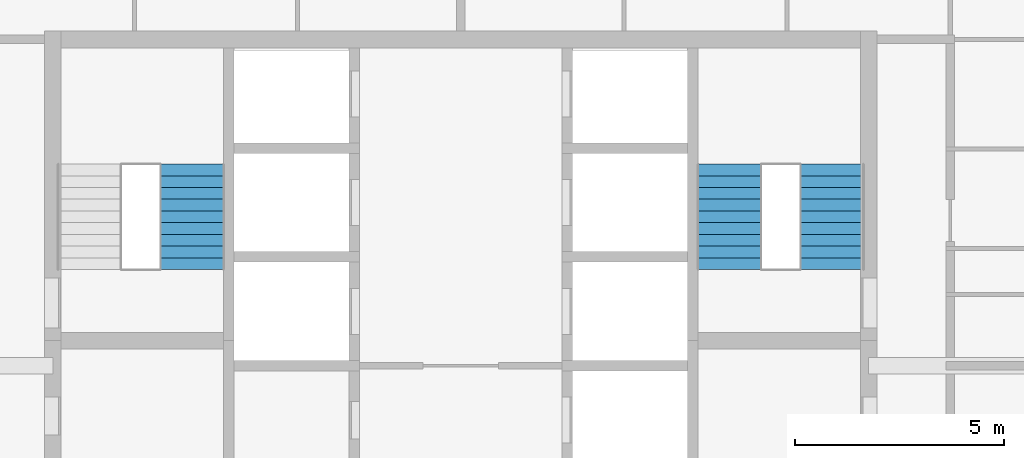
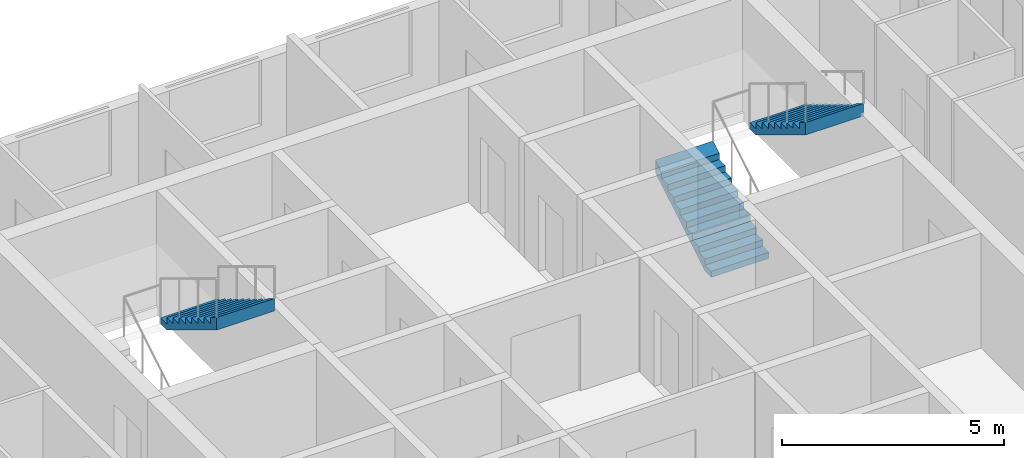
# One storey, part 14 of 16: 3 stair flights, 2 elements without a shape of their own.
"""IFC4 building model written with IfcOpenShell, lengths in metres."""

from ifc_helpers import new_model, si_unit, direction, frame, origin, place, context, subcontext, project, spatial, triangles, material, type_object, element, aggregate, save


model = new_model("IFC4")

# Units and contexts
model_context = context("Model", 3, precision=1e-05, world=origin(), true_north=direction((0.0, 1.0)))
body_context = subcontext(model_context, "Body", "Model", "MODEL_VIEW")
ifc_project = project(units=[si_unit("LENGTHUNIT", "METRE"), si_unit("AREAUNIT", "SQUARE_METRE"), si_unit("VOLUMEUNIT", "CUBIC_METRE"), si_unit("PLANEANGLEUNIT", "RADIAN"), si_unit("MASSUNIT", "GRAM", prefix="KILO")], contexts=[model_context])

# Site, building, storey
site_placement = place(None, origin())
site = spatial("IfcSite", under=ifc_project, at=site_placement, CompositionType="ELEMENT")
building_placement = place(site_placement, origin())
building = spatial("IfcBuilding", under=site, at=building_placement, Name="Ludao Terraces", CompositionType="ELEMENT")
storey_placement = place(building_placement, frame((0.0, 0.0, 234.699951171875)))
storey = spatial("IfcBuildingStorey", under=building, at=storey_placement, Name="L64", CompositionType="ELEMENT", Elevation=234.699951171875)

# Stair, stair flight
ifc_material = material(Name="Concrete C40", Category="concrete")
stair_type = type_object("IfcStairType", Name="INT Stair", PredefinedType="HALF_TURN_STAIR", material=ifc_material)
stair_1_placement = place(storey_placement, origin())
stair_1 = element("IfcStair", 1, at=stair_1_placement, inside=storey, type_object=stair_type, Name="EXIT STAIR 1", PredefinedType="HALF_TURN_STAIR")
stair_flight_type = type_object("IfcStairFlightType", Name="INT Stair flight", PredefinedType="STRAIGHT", material=ifc_material)
stair_flight_1_placement = place(storey_placement, frame((78.574951171875, 81.52001953125, 1.699951171875), z_axis=(0.0, 0.0, 1.0), x_axis=(0.0, -1.0, 0.0)))
stair_flight_1 = element("IfcStairFlight", 2, at=stair_flight_1_placement, type_object=stair_flight_type, Name="ST1 flight 2", NumberOfRisers=10, NumberOfTreads=9, PredefinedType="STRAIGHT", RiserHeight=0.17, TreadLength=0.28, context=body_context, shape_type="Tessellation", body=[
    triangles([(0.0, -0.75, 0.0), (0.0, -0.5, 0.0), (0.0, -0.25, 0.0), (0.0, 0.0, 0.0), (0.0, 0.25, 0.0), (0.0, 0.5, 0.0), (0.0, 0.75, 0.0), (0.0, -0.75, 0.169921875), (0.0, -0.5, 0.169921875), (0.0, -0.25, 0.169921875), (0.0, 0.0, 0.169921875), (0.0, 0.25, 0.169921875), (0.0, 0.5, 0.169921875), (0.0, 0.75, 0.169921875), (0.280029296875, -0.75, 0.169921875), (0.280029296875, -0.5, 0.169921875), (0.280029296875, -0.25, 0.169921875), (0.280029296875, 0.0, 0.169921875), (0.280029296875, 0.25, 0.169921875), (0.280029296875, 0.5, 0.169921875), (0.280029296875, 0.75, 0.169921875), (0.280029296875, -0.75, 0.340087890625), (0.280029296875, -0.5, 0.340087890625), (0.280029296875, -0.25, 0.340087890625), (0.280029296875, 0.0, 0.340087890625), (0.280029296875, 0.25, 0.340087890625), (0.280029296875, 0.5, 0.340087890625), (0.280029296875, 0.75, 0.340087890625), (0.56005859375, -0.75, 0.340087890625), (0.56005859375, -0.5, 0.340087890625), (0.56005859375, -0.25, 0.340087890625), (0.56005859375, 0.0, 0.340087890625), (0.56005859375, 0.25, 0.340087890625), (0.56005859375, 0.5, 0.340087890625), (0.56005859375, 0.75, 0.340087890625), (0.56005859375, -0.75, 0.510009765625), (0.56005859375, -0.5, 0.510009765625), (0.56005859375, -0.25, 0.510009765625), (0.56005859375, 0.0, 0.510009765625), (0.56005859375, 0.25, 0.510009765625), (0.56005859375, 0.5, 0.510009765625), (0.56005859375, 0.75, 0.510009765625), (0.840087890625, -0.75, 0.510009765625), (0.840087890625, -0.5, 0.510009765625), (0.840087890625, -0.25, 0.510009765625), (0.840087890625, 0.0, 0.510009765625), (0.840087890625, 0.25, 0.510009765625), (0.840087890625, 0.5, 0.510009765625), (0.840087890625, 0.75, 0.510009765625), (0.840087890625, -0.75, 0.679931640625), (0.840087890625, -0.5, 0.679931640625), (0.840087890625, -0.25, 0.679931640625), (0.840087890625, 0.0, 0.679931640625), (0.840087890625, 0.25, 0.679931640625), (0.840087890625, 0.5, 0.679931640625), (0.840087890625, 0.75, 0.679931640625), (1.1201171875, -0.75, 0.679931640625), (1.1201171875, -0.5, 0.679931640625), (1.1201171875, -0.25, 0.679931640625), (1.1201171875, 0.0, 0.679931640625), (1.1201171875, 0.25, 0.679931640625), (1.1201171875, 0.5, 0.679931640625), (1.1201171875, 0.75, 0.679931640625), (1.1201171875, -0.75, 0.85009765625), (1.1201171875, -0.5, 0.85009765625), (1.1201171875, -0.25, 0.85009765625), (1.1201171875, 0.0, 0.85009765625), (1.1201171875, 0.25, 0.85009765625), (1.1201171875, 0.5, 0.85009765625), (1.1201171875, 0.75, 0.85009765625), (1.39990234375, -0.75, 0.85009765625), (1.39990234375, -0.5, 0.85009765625), (1.39990234375, -0.25, 0.85009765625), (1.39990234375, 0.0, 0.85009765625), (1.39990234375, 0.25, 0.85009765625), (1.39990234375, 0.5, 0.85009765625), (1.39990234375, 0.75, 0.85009765625), (1.39990234375, -0.75, 1.02001953125), (1.39990234375, -0.5, 1.02001953125), (1.39990234375, -0.25, 1.02001953125), (1.39990234375, 0.0, 1.02001953125), (1.39990234375, 0.25, 1.02001953125), (1.39990234375, 0.5, 1.02001953125), (1.39990234375, 0.75, 1.02001953125), (1.679931640625, -0.75, 1.02001953125), (1.679931640625, -0.5, 1.02001953125), (1.679931640625, -0.25, 1.02001953125), (1.679931640625, 0.0, 1.02001953125), (1.679931640625, 0.25, 1.02001953125), (1.679931640625, 0.5, 1.02001953125), (1.679931640625, 0.75, 1.02001953125), (1.679931640625, -0.75, 1.18994140625), (1.679931640625, -0.5, 1.18994140625), (1.679931640625, -0.25, 1.18994140625), (1.679931640625, 0.0, 1.18994140625), (1.679931640625, 0.25, 1.18994140625), (1.679931640625, 0.5, 1.18994140625), (1.679931640625, 0.75, 1.18994140625), (1.9599609375, -0.75, 1.18994140625), (1.9599609375, -0.5, 1.18994140625), (1.9599609375, -0.25, 1.18994140625), (1.9599609375, 0.0, 1.18994140625), (1.9599609375, 0.25, 1.18994140625), (1.9599609375, 0.5, 1.18994140625), (1.9599609375, 0.75, 1.18994140625), (1.9599609375, -0.75, 1.360107421875), (1.9599609375, -0.5, 1.360107421875), (1.9599609375, -0.25, 1.360107421875), (1.9599609375, 0.0, 1.360107421875), (1.9599609375, 0.25, 1.360107421875), (1.9599609375, 0.5, 1.360107421875), (1.9599609375, 0.75, 1.360107421875), (2.239990234375, -0.75, 1.360107421875), (2.239990234375, -0.5, 1.360107421875), (2.239990234375, -0.25, 1.360107421875), (2.239990234375, 0.0, 1.360107421875), (2.239990234375, 0.25, 1.360107421875), (2.239990234375, 0.5, 1.360107421875), (2.239990234375, 0.75, 1.360107421875), (2.239990234375, -0.75, 1.530029296875), (2.239990234375, -0.5, 1.530029296875), (2.239990234375, -0.25, 1.530029296875), (2.239990234375, 0.0, 1.530029296875), (2.239990234375, 0.25, 1.530029296875), (2.239990234375, 0.5, 1.530029296875), (2.239990234375, 0.75, 1.530029296875), (2.52001953125, -0.75, 1.699951171875), (2.52001953125, -0.5, 1.699951171875), (2.52001953125, -0.25, 1.699951171875), (2.52001953125, 0.0, 1.699951171875), (2.52001953125, 0.25, 1.699951171875), (2.52001953125, 0.5, 1.699951171875), (2.52001953125, 0.75, 1.699951171875), (2.52001953125, -0.75, 1.354736328125), (2.52001953125, -0.5, 1.354736328125), (2.52001953125, -0.25, 1.354736328125), (2.52001953125, 0.0, 1.354736328125), (2.52001953125, 0.25, 1.354736328125), (2.52001953125, 0.5, 1.354736328125), (2.52001953125, 0.75, 1.354736328125), (0.288818359375, -0.75, 0.0), (0.288818359375, -0.5, 0.0), (0.288818359375, -0.25, 0.0), (0.288818359375, 0.0, 0.0), (0.288818359375, 0.25, 0.0), (0.288818359375, 0.5, 0.0), (0.288818359375, 0.75, 0.0)], [[1, 141, 134], [7, 140, 147], [134, 127, 120], [140, 126, 133], [134, 120, 113], [140, 119, 126], [134, 113, 106], [140, 112, 119], [134, 106, 99], [140, 105, 112], [99, 92, 85], [105, 91, 98], [134, 99, 85], [140, 91, 105], [85, 78, 71], [91, 77, 84], [134, 85, 71], [140, 77, 91], [71, 64, 57], [77, 63, 70], [134, 71, 57], [140, 63, 77], [57, 50, 43], [63, 49, 56], [134, 57, 43], [140, 49, 63], [43, 36, 29], [49, 35, 42], [134, 43, 29], [140, 35, 49], [29, 22, 15], [35, 21, 28], [134, 29, 15], [140, 21, 35], [1, 134, 15], [7, 21, 140], [15, 8, 1], [21, 7, 14], [1, 9, 2], [1, 8, 9], [2, 10, 3], [2, 9, 10], [3, 11, 4], [3, 10, 11], [4, 12, 5], [4, 11, 12], [5, 13, 6], [5, 12, 13], [6, 14, 7], [6, 13, 14], [8, 16, 9], [8, 15, 16], [9, 17, 10], [9, 16, 17], [10, 18, 11], [10, 17, 18], [11, 19, 12], [11, 18, 19], [12, 20, 13], [12, 19, 20], [13, 21, 14], [13, 20, 21], [15, 23, 16], [15, 22, 23], [16, 24, 17], [16, 23, 24], [17, 25, 18], [17, 24, 25], [18, 26, 19], [18, 25, 26], [19, 27, 20], [19, 26, 27], [20, 28, 21], [20, 27, 28], [22, 30, 23], [22, 29, 30], [23, 31, 24], [23, 30, 31], [24, 32, 25], [24, 31, 32], [25, 33, 26], [25, 32, 33], [26, 34, 27], [26, 33, 34], [27, 35, 28], [27, 34, 35], [29, 37, 30], [29, 36, 37], [30, 38, 31], [30, 37, 38], [31, 39, 32], [31, 38, 39], [32, 40, 33], [32, 39, 40], [33, 41, 34], [33, 40, 41], [34, 42, 35], [34, 41, 42], [36, 44, 37], [36, 43, 44], [37, 45, 38], [37, 44, 45], [38, 46, 39], [38, 45, 46], [39, 47, 40], [39, 46, 47], [40, 48, 41], [40, 47, 48], [41, 49, 42], [41, 48, 49], [43, 51, 44], [43, 50, 51], [44, 52, 45], [44, 51, 52], [45, 53, 46], [45, 52, 53], [46, 54, 47], [46, 53, 54], [47, 55, 48], [47, 54, 55], [48, 56, 49], [48, 55, 56], [50, 58, 51], [50, 57, 58], [51, 59, 52], [51, 58, 59], [52, 60, 53], [52, 59, 60], [53, 61, 54], [53, 60, 61], [54, 62, 55], [54, 61, 62], [55, 63, 56], [55, 62, 63], [57, 65, 58], [57, 64, 65], [58, 66, 59], [58, 65, 66], [59, 67, 60], [59, 66, 67], [60, 68, 61], [60, 67, 68], [61, 69, 62], [61, 68, 69], [62, 70, 63], [62, 69, 70], [64, 72, 65], [64, 71, 72], [65, 73, 66], [65, 72, 73], [66, 74, 67], [66, 73, 74], [67, 75, 68], [67, 74, 75], [68, 76, 69], [68, 75, 76], [69, 77, 70], [69, 76, 77], [71, 79, 72], [71, 78, 79], [72, 80, 73], [72, 79, 80], [73, 81, 74], [73, 80, 81], [74, 82, 75], [74, 81, 82], [75, 83, 76], [75, 82, 83], [76, 84, 77], [76, 83, 84], [78, 86, 79], [78, 85, 86], [79, 87, 80], [79, 86, 87], [80, 88, 81], [80, 87, 88], [81, 89, 82], [81, 88, 89], [82, 90, 83], [82, 89, 90], [83, 91, 84], [83, 90, 91], [85, 93, 86], [85, 92, 93], [86, 94, 87], [86, 93, 94], [87, 95, 88], [87, 94, 95], [88, 96, 89], [88, 95, 96], [89, 97, 90], [89, 96, 97], [90, 98, 91], [90, 97, 98], [92, 100, 93], [92, 99, 100], [93, 101, 94], [93, 100, 101], [94, 102, 95], [94, 101, 102], [95, 103, 96], [95, 102, 103], [96, 104, 97], [96, 103, 104], [97, 105, 98], [97, 104, 105], [99, 107, 100], [99, 106, 107], [100, 108, 101], [100, 107, 108], [101, 109, 102], [101, 108, 109], [102, 110, 103], [102, 109, 110], [103, 111, 104], [103, 110, 111], [104, 112, 105], [104, 111, 112], [106, 114, 107], [106, 113, 114], [107, 115, 108], [107, 114, 115], [108, 116, 109], [108, 115, 116], [109, 117, 110], [109, 116, 117], [110, 118, 111], [110, 117, 118], [111, 119, 112], [111, 118, 119], [113, 121, 114], [113, 120, 121], [114, 122, 115], [114, 121, 122], [115, 123, 116], [115, 122, 123], [116, 124, 117], [116, 123, 124], [117, 125, 118], [117, 124, 125], [118, 126, 119], [118, 125, 126], [120, 128, 121], [120, 127, 128], [121, 129, 122], [121, 128, 129], [122, 130, 123], [122, 129, 130], [123, 131, 124], [123, 130, 131], [124, 132, 125], [124, 131, 132], [125, 133, 126], [125, 132, 133], [127, 135, 128], [127, 134, 135], [128, 136, 129], [128, 135, 136], [129, 137, 130], [129, 136, 137], [130, 138, 131], [130, 137, 138], [131, 139, 132], [131, 138, 139], [132, 140, 133], [132, 139, 140], [134, 142, 135], [134, 141, 142], [135, 143, 136], [135, 142, 143], [136, 144, 137], [136, 143, 144], [137, 145, 138], [137, 144, 145], [138, 146, 139], [138, 145, 146], [139, 147, 140], [139, 146, 147], [141, 2, 142], [141, 1, 2], [142, 3, 143], [142, 2, 3], [143, 4, 144], [143, 3, 4], [144, 5, 145], [144, 4, 5], [145, 6, 146], [145, 5, 6], [146, 7, 147], [146, 6, 7]], closed=True),
])
aggregate(stair_1, [stair_flight_1])

# Stair, stair flights
stair_2_placement = place(storey_placement, origin())
stair_2 = element("IfcStair", 3, at=stair_2_placement, inside=storey, type_object=stair_type, Name="EXIT STAIR 2", PredefinedType="HALF_TURN_STAIR")
stair_flight_2_placement = place(storey_placement, frame((91.425048828125, 79.0, 0.0), z_axis=(0.0, 0.0, 1.0), x_axis=(0.0, 1.0, 0.0)))
stair_flight_2 = element("IfcStairFlight", 4, at=stair_flight_2_placement, type_object=stair_flight_type, Name="ST2 flight 1", NumberOfRisers=10, NumberOfTreads=9, PredefinedType="STRAIGHT", RiserHeight=0.17, TreadLength=0.28, context=body_context, shape_type="Tessellation", body=[
    triangles([(0.0, -0.75, 0.0), (0.0, -0.5, 0.0), (0.0, -0.25, 0.0), (0.0, 0.0, 0.0), (0.0, 0.25, 0.0), (0.0, 0.5, 0.0), (0.0, 0.75, 0.0), (0.0, -0.75, 0.169921875), (0.0, -0.5, 0.169921875), (0.0, -0.25, 0.169921875), (0.0, 0.0, 0.169921875), (0.0, 0.25, 0.169921875), (0.0, 0.5, 0.169921875), (0.0, 0.75, 0.169921875), (0.280029296875, -0.75, 0.169921875), (0.280029296875, -0.5, 0.169921875), (0.280029296875, -0.25, 0.169921875), (0.280029296875, 0.0, 0.169921875), (0.280029296875, 0.25, 0.169921875), (0.280029296875, 0.5, 0.169921875), (0.280029296875, 0.75, 0.169921875), (0.280029296875, -0.75, 0.340087890625), (0.280029296875, -0.5, 0.340087890625), (0.280029296875, -0.25, 0.340087890625), (0.280029296875, 0.0, 0.340087890625), (0.280029296875, 0.25, 0.340087890625), (0.280029296875, 0.5, 0.340087890625), (0.280029296875, 0.75, 0.340087890625), (0.56005859375, -0.75, 0.340087890625), (0.56005859375, -0.5, 0.340087890625), (0.56005859375, -0.25, 0.340087890625), (0.56005859375, 0.0, 0.340087890625), (0.56005859375, 0.25, 0.340087890625), (0.56005859375, 0.5, 0.340087890625), (0.56005859375, 0.75, 0.340087890625), (0.56005859375, -0.75, 0.510009765625), (0.56005859375, -0.5, 0.510009765625), (0.56005859375, -0.25, 0.510009765625), (0.56005859375, 0.0, 0.510009765625), (0.56005859375, 0.25, 0.510009765625), (0.56005859375, 0.5, 0.510009765625), (0.56005859375, 0.75, 0.510009765625), (0.840087890625, -0.75, 0.510009765625), (0.840087890625, -0.5, 0.510009765625), (0.840087890625, -0.25, 0.510009765625), (0.840087890625, 0.0, 0.510009765625), (0.840087890625, 0.25, 0.510009765625), (0.840087890625, 0.5, 0.510009765625), (0.840087890625, 0.75, 0.510009765625), (0.840087890625, -0.75, 0.679931640625), (0.840087890625, -0.5, 0.679931640625), (0.840087890625, -0.25, 0.679931640625), (0.840087890625, 0.0, 0.679931640625), (0.840087890625, 0.25, 0.679931640625), (0.840087890625, 0.5, 0.679931640625), (0.840087890625, 0.75, 0.679931640625), (1.1201171875, -0.75, 0.679931640625), (1.1201171875, -0.5, 0.679931640625), (1.1201171875, -0.25, 0.679931640625), (1.1201171875, 0.0, 0.679931640625), (1.1201171875, 0.25, 0.679931640625), (1.1201171875, 0.5, 0.679931640625), (1.1201171875, 0.75, 0.679931640625), (1.1201171875, -0.75, 0.85009765625), (1.1201171875, -0.5, 0.85009765625), (1.1201171875, -0.25, 0.85009765625), (1.1201171875, 0.0, 0.85009765625), (1.1201171875, 0.25, 0.85009765625), (1.1201171875, 0.5, 0.85009765625), (1.1201171875, 0.75, 0.85009765625), (1.39990234375, -0.75, 0.85009765625), (1.39990234375, -0.5, 0.85009765625), (1.39990234375, -0.25, 0.85009765625), (1.39990234375, 0.0, 0.85009765625), (1.39990234375, 0.25, 0.85009765625), (1.39990234375, 0.5, 0.85009765625), (1.39990234375, 0.75, 0.85009765625), (1.39990234375, -0.75, 1.02001953125), (1.39990234375, -0.5, 1.02001953125), (1.39990234375, -0.25, 1.02001953125), (1.39990234375, 0.0, 1.02001953125), (1.39990234375, 0.25, 1.02001953125), (1.39990234375, 0.5, 1.02001953125), (1.39990234375, 0.75, 1.02001953125), (1.679931640625, -0.75, 1.02001953125), (1.679931640625, -0.5, 1.02001953125), (1.679931640625, -0.25, 1.02001953125), (1.679931640625, 0.0, 1.02001953125), (1.679931640625, 0.25, 1.02001953125), (1.679931640625, 0.5, 1.02001953125), (1.679931640625, 0.75, 1.02001953125), (1.679931640625, -0.75, 1.18994140625), (1.679931640625, -0.5, 1.18994140625), (1.679931640625, -0.25, 1.18994140625), (1.679931640625, 0.0, 1.18994140625), (1.679931640625, 0.25, 1.18994140625), (1.679931640625, 0.5, 1.18994140625), (1.679931640625, 0.75, 1.18994140625), (1.9599609375, -0.75, 1.18994140625), (1.9599609375, -0.5, 1.18994140625), (1.9599609375, -0.25, 1.18994140625), (1.9599609375, 0.0, 1.18994140625), (1.9599609375, 0.25, 1.18994140625), (1.9599609375, 0.5, 1.18994140625), (1.9599609375, 0.75, 1.18994140625), (1.9599609375, -0.75, 1.360107421875), (1.9599609375, -0.5, 1.360107421875), (1.9599609375, -0.25, 1.360107421875), (1.9599609375, 0.0, 1.360107421875), (1.9599609375, 0.25, 1.360107421875), (1.9599609375, 0.5, 1.360107421875), (1.9599609375, 0.75, 1.360107421875), (2.239990234375, -0.75, 1.360107421875), (2.239990234375, -0.5, 1.360107421875), (2.239990234375, -0.25, 1.360107421875), (2.239990234375, 0.0, 1.360107421875), (2.239990234375, 0.25, 1.360107421875), (2.239990234375, 0.5, 1.360107421875), (2.239990234375, 0.75, 1.360107421875), (2.239990234375, -0.75, 1.530029296875), (2.239990234375, -0.5, 1.530029296875), (2.239990234375, -0.25, 1.530029296875), (2.239990234375, 0.0, 1.530029296875), (2.239990234375, 0.25, 1.530029296875), (2.239990234375, 0.5, 1.530029296875), (2.239990234375, 0.75, 1.530029296875), (2.52001953125, -0.75, 1.699951171875), (2.52001953125, -0.5, 1.699951171875), (2.52001953125, -0.25, 1.699951171875), (2.52001953125, 0.0, 1.699951171875), (2.52001953125, 0.25, 1.699951171875), (2.52001953125, 0.5, 1.699951171875), (2.52001953125, 0.75, 1.699951171875), (2.52001953125, -0.75, 1.354736328125), (2.52001953125, -0.5, 1.354736328125), (2.52001953125, -0.25, 1.354736328125), (2.52001953125, 0.0, 1.354736328125), (2.52001953125, 0.25, 1.354736328125), (2.52001953125, 0.5, 1.354736328125), (2.52001953125, 0.75, 1.354736328125), (0.288818359375, -0.75, 0.0), (0.288818359375, -0.5, 0.0), (0.288818359375, -0.25, 0.0), (0.288818359375, 0.0, 0.0), (0.288818359375, 0.25, 0.0), (0.288818359375, 0.5, 0.0), (0.288818359375, 0.75, 0.0)], [[1, 141, 134], [7, 140, 147], [134, 127, 120], [140, 126, 133], [134, 120, 113], [140, 119, 126], [134, 113, 106], [140, 112, 119], [134, 106, 99], [140, 105, 112], [99, 92, 85], [105, 91, 98], [134, 99, 85], [140, 91, 105], [85, 78, 71], [91, 77, 84], [134, 85, 71], [140, 77, 91], [71, 64, 57], [77, 63, 70], [134, 71, 57], [140, 63, 77], [57, 50, 43], [63, 49, 56], [134, 57, 43], [140, 49, 63], [43, 36, 29], [49, 35, 42], [134, 43, 29], [140, 35, 49], [29, 22, 15], [35, 21, 28], [134, 29, 15], [140, 21, 35], [1, 134, 15], [7, 21, 140], [15, 8, 1], [21, 7, 14], [1, 9, 2], [1, 8, 9], [2, 10, 3], [2, 9, 10], [3, 11, 4], [3, 10, 11], [4, 12, 5], [4, 11, 12], [5, 13, 6], [5, 12, 13], [6, 14, 7], [6, 13, 14], [8, 16, 9], [8, 15, 16], [9, 17, 10], [9, 16, 17], [10, 18, 11], [10, 17, 18], [11, 19, 12], [11, 18, 19], [12, 20, 13], [12, 19, 20], [13, 21, 14], [13, 20, 21], [15, 23, 16], [15, 22, 23], [16, 24, 17], [16, 23, 24], [17, 25, 18], [17, 24, 25], [18, 26, 19], [18, 25, 26], [19, 27, 20], [19, 26, 27], [20, 28, 21], [20, 27, 28], [22, 30, 23], [22, 29, 30], [23, 31, 24], [23, 30, 31], [24, 32, 25], [24, 31, 32], [25, 33, 26], [25, 32, 33], [26, 34, 27], [26, 33, 34], [27, 35, 28], [27, 34, 35], [29, 37, 30], [29, 36, 37], [30, 38, 31], [30, 37, 38], [31, 39, 32], [31, 38, 39], [32, 40, 33], [32, 39, 40], [33, 41, 34], [33, 40, 41], [34, 42, 35], [34, 41, 42], [36, 44, 37], [36, 43, 44], [37, 45, 38], [37, 44, 45], [38, 46, 39], [38, 45, 46], [39, 47, 40], [39, 46, 47], [40, 48, 41], [40, 47, 48], [41, 49, 42], [41, 48, 49], [43, 51, 44], [43, 50, 51], [44, 52, 45], [44, 51, 52], [45, 53, 46], [45, 52, 53], [46, 54, 47], [46, 53, 54], [47, 55, 48], [47, 54, 55], [48, 56, 49], [48, 55, 56], [50, 58, 51], [50, 57, 58], [51, 59, 52], [51, 58, 59], [52, 60, 53], [52, 59, 60], [53, 61, 54], [53, 60, 61], [54, 62, 55], [54, 61, 62], [55, 63, 56], [55, 62, 63], [57, 65, 58], [57, 64, 65], [58, 66, 59], [58, 65, 66], [59, 67, 60], [59, 66, 67], [60, 68, 61], [60, 67, 68], [61, 69, 62], [61, 68, 69], [62, 70, 63], [62, 69, 70], [64, 72, 65], [64, 71, 72], [65, 73, 66], [65, 72, 73], [66, 74, 67], [66, 73, 74], [67, 75, 68], [67, 74, 75], [68, 76, 69], [68, 75, 76], [69, 77, 70], [69, 76, 77], [71, 79, 72], [71, 78, 79], [72, 80, 73], [72, 79, 80], [73, 81, 74], [73, 80, 81], [74, 82, 75], [74, 81, 82], [75, 83, 76], [75, 82, 83], [76, 84, 77], [76, 83, 84], [78, 86, 79], [78, 85, 86], [79, 87, 80], [79, 86, 87], [80, 88, 81], [80, 87, 88], [81, 89, 82], [81, 88, 89], [82, 90, 83], [82, 89, 90], [83, 91, 84], [83, 90, 91], [85, 93, 86], [85, 92, 93], [86, 94, 87], [86, 93, 94], [87, 95, 88], [87, 94, 95], [88, 96, 89], [88, 95, 96], [89, 97, 90], [89, 96, 97], [90, 98, 91], [90, 97, 98], [92, 100, 93], [92, 99, 100], [93, 101, 94], [93, 100, 101], [94, 102, 95], [94, 101, 102], [95, 103, 96], [95, 102, 103], [96, 104, 97], [96, 103, 104], [97, 105, 98], [97, 104, 105], [99, 107, 100], [99, 106, 107], [100, 108, 101], [100, 107, 108], [101, 109, 102], [101, 108, 109], [102, 110, 103], [102, 109, 110], [103, 111, 104], [103, 110, 111], [104, 112, 105], [104, 111, 112], [106, 114, 107], [106, 113, 114], [107, 115, 108], [107, 114, 115], [108, 116, 109], [108, 115, 116], [109, 117, 110], [109, 116, 117], [110, 118, 111], [110, 117, 118], [111, 119, 112], [111, 118, 119], [113, 121, 114], [113, 120, 121], [114, 122, 115], [114, 121, 122], [115, 123, 116], [115, 122, 123], [116, 124, 117], [116, 123, 124], [117, 125, 118], [117, 124, 125], [118, 126, 119], [118, 125, 126], [120, 128, 121], [120, 127, 128], [121, 129, 122], [121, 128, 129], [122, 130, 123], [122, 129, 130], [123, 131, 124], [123, 130, 131], [124, 132, 125], [124, 131, 132], [125, 133, 126], [125, 132, 133], [127, 135, 128], [127, 134, 135], [128, 136, 129], [128, 135, 136], [129, 137, 130], [129, 136, 137], [130, 138, 131], [130, 137, 138], [131, 139, 132], [131, 138, 139], [132, 140, 133], [132, 139, 140], [134, 142, 135], [134, 141, 142], [135, 143, 136], [135, 142, 143], [136, 144, 137], [136, 143, 144], [137, 145, 138], [137, 144, 145], [138, 146, 139], [138, 145, 146], [139, 147, 140], [139, 146, 147], [141, 2, 142], [141, 1, 2], [142, 3, 143], [142, 2, 3], [143, 4, 144], [143, 3, 4], [144, 5, 145], [144, 4, 5], [145, 6, 146], [145, 5, 6], [146, 7, 147], [146, 6, 7]], closed=True),
])
stair_flight_3_placement = place(storey_placement, frame((93.875, 81.52001953125, 1.699951171875), z_axis=(0.0, 0.0, 1.0), x_axis=(0.0, -1.0, 0.0)))
stair_flight_3 = element("IfcStairFlight", 5, at=stair_flight_3_placement, type_object=stair_flight_type, Name="ST2 flight 2", NumberOfRisers=10, NumberOfTreads=9, PredefinedType="STRAIGHT", RiserHeight=0.17, TreadLength=0.28, context=body_context, shape_type="Tessellation", body=[
    triangles([(0.0, -0.75, 0.0), (0.0, -0.5, 0.0), (0.0, -0.25, 0.0), (0.0, 0.0, 0.0), (0.0, 0.25, 0.0), (0.0, 0.5, 0.0), (0.0, 0.75, 0.0), (0.0, -0.75, 0.169921875), (0.0, -0.5, 0.169921875), (0.0, -0.25, 0.169921875), (0.0, 0.0, 0.169921875), (0.0, 0.25, 0.169921875), (0.0, 0.5, 0.169921875), (0.0, 0.75, 0.169921875), (0.280029296875, -0.75, 0.169921875), (0.280029296875, -0.5, 0.169921875), (0.280029296875, -0.25, 0.169921875), (0.280029296875, 0.0, 0.169921875), (0.280029296875, 0.25, 0.169921875), (0.280029296875, 0.5, 0.169921875), (0.280029296875, 0.75, 0.169921875), (0.280029296875, -0.75, 0.340087890625), (0.280029296875, -0.5, 0.340087890625), (0.280029296875, -0.25, 0.340087890625), (0.280029296875, 0.0, 0.340087890625), (0.280029296875, 0.25, 0.340087890625), (0.280029296875, 0.5, 0.340087890625), (0.280029296875, 0.75, 0.340087890625), (0.56005859375, -0.75, 0.340087890625), (0.56005859375, -0.5, 0.340087890625), (0.56005859375, -0.25, 0.340087890625), (0.56005859375, 0.0, 0.340087890625), (0.56005859375, 0.25, 0.340087890625), (0.56005859375, 0.5, 0.340087890625), (0.56005859375, 0.75, 0.340087890625), (0.56005859375, -0.75, 0.510009765625), (0.56005859375, -0.5, 0.510009765625), (0.56005859375, -0.25, 0.510009765625), (0.56005859375, 0.0, 0.510009765625), (0.56005859375, 0.25, 0.510009765625), (0.56005859375, 0.5, 0.510009765625), (0.56005859375, 0.75, 0.510009765625), (0.840087890625, -0.75, 0.510009765625), (0.840087890625, -0.5, 0.510009765625), (0.840087890625, -0.25, 0.510009765625), (0.840087890625, 0.0, 0.510009765625), (0.840087890625, 0.25, 0.510009765625), (0.840087890625, 0.5, 0.510009765625), (0.840087890625, 0.75, 0.510009765625), (0.840087890625, -0.75, 0.679931640625), (0.840087890625, -0.5, 0.679931640625), (0.840087890625, -0.25, 0.679931640625), (0.840087890625, 0.0, 0.679931640625), (0.840087890625, 0.25, 0.679931640625), (0.840087890625, 0.5, 0.679931640625), (0.840087890625, 0.75, 0.679931640625), (1.1201171875, -0.75, 0.679931640625), (1.1201171875, -0.5, 0.679931640625), (1.1201171875, -0.25, 0.679931640625), (1.1201171875, 0.0, 0.679931640625), (1.1201171875, 0.25, 0.679931640625), (1.1201171875, 0.5, 0.679931640625), (1.1201171875, 0.75, 0.679931640625), (1.1201171875, -0.75, 0.85009765625), (1.1201171875, -0.5, 0.85009765625), (1.1201171875, -0.25, 0.85009765625), (1.1201171875, 0.0, 0.85009765625), (1.1201171875, 0.25, 0.85009765625), (1.1201171875, 0.5, 0.85009765625), (1.1201171875, 0.75, 0.85009765625), (1.39990234375, -0.75, 0.85009765625), (1.39990234375, -0.5, 0.85009765625), (1.39990234375, -0.25, 0.85009765625), (1.39990234375, 0.0, 0.85009765625), (1.39990234375, 0.25, 0.85009765625), (1.39990234375, 0.5, 0.85009765625), (1.39990234375, 0.75, 0.85009765625), (1.39990234375, -0.75, 1.02001953125), (1.39990234375, -0.5, 1.02001953125), (1.39990234375, -0.25, 1.02001953125), (1.39990234375, 0.0, 1.02001953125), (1.39990234375, 0.25, 1.02001953125), (1.39990234375, 0.5, 1.02001953125), (1.39990234375, 0.75, 1.02001953125), (1.679931640625, -0.75, 1.02001953125), (1.679931640625, -0.5, 1.02001953125), (1.679931640625, -0.25, 1.02001953125), (1.679931640625, 0.0, 1.02001953125), (1.679931640625, 0.25, 1.02001953125), (1.679931640625, 0.5, 1.02001953125), (1.679931640625, 0.75, 1.02001953125), (1.679931640625, -0.75, 1.18994140625), (1.679931640625, -0.5, 1.18994140625), (1.679931640625, -0.25, 1.18994140625), (1.679931640625, 0.0, 1.18994140625), (1.679931640625, 0.25, 1.18994140625), (1.679931640625, 0.5, 1.18994140625), (1.679931640625, 0.75, 1.18994140625), (1.9599609375, -0.75, 1.18994140625), (1.9599609375, -0.5, 1.18994140625), (1.9599609375, -0.25, 1.18994140625), (1.9599609375, 0.0, 1.18994140625), (1.9599609375, 0.25, 1.18994140625), (1.9599609375, 0.5, 1.18994140625), (1.9599609375, 0.75, 1.18994140625), (1.9599609375, -0.75, 1.360107421875), (1.9599609375, -0.5, 1.360107421875), (1.9599609375, -0.25, 1.360107421875), (1.9599609375, 0.0, 1.360107421875), (1.9599609375, 0.25, 1.360107421875), (1.9599609375, 0.5, 1.360107421875), (1.9599609375, 0.75, 1.360107421875), (2.239990234375, -0.75, 1.360107421875), (2.239990234375, -0.5, 1.360107421875), (2.239990234375, -0.25, 1.360107421875), (2.239990234375, 0.0, 1.360107421875), (2.239990234375, 0.25, 1.360107421875), (2.239990234375, 0.5, 1.360107421875), (2.239990234375, 0.75, 1.360107421875), (2.239990234375, -0.75, 1.530029296875), (2.239990234375, -0.5, 1.530029296875), (2.239990234375, -0.25, 1.530029296875), (2.239990234375, 0.0, 1.530029296875), (2.239990234375, 0.25, 1.530029296875), (2.239990234375, 0.5, 1.530029296875), (2.239990234375, 0.75, 1.530029296875), (2.52001953125, -0.75, 1.699951171875), (2.52001953125, -0.5, 1.699951171875), (2.52001953125, -0.25, 1.699951171875), (2.52001953125, 0.0, 1.699951171875), (2.52001953125, 0.25, 1.699951171875), (2.52001953125, 0.5, 1.699951171875), (2.52001953125, 0.75, 1.699951171875), (2.52001953125, -0.75, 1.354736328125), (2.52001953125, -0.5, 1.354736328125), (2.52001953125, -0.25, 1.354736328125), (2.52001953125, 0.0, 1.354736328125), (2.52001953125, 0.25, 1.354736328125), (2.52001953125, 0.5, 1.354736328125), (2.52001953125, 0.75, 1.354736328125), (0.288818359375, -0.75, 0.0), (0.288818359375, -0.5, 0.0), (0.288818359375, -0.25, 0.0), (0.288818359375, 0.0, 0.0), (0.288818359375, 0.25, 0.0), (0.288818359375, 0.5, 0.0), (0.288818359375, 0.75, 0.0)], [[1, 141, 134], [7, 140, 147], [134, 127, 120], [140, 126, 133], [134, 120, 113], [140, 119, 126], [134, 113, 106], [140, 112, 119], [134, 106, 99], [140, 105, 112], [99, 92, 85], [105, 91, 98], [134, 99, 85], [140, 91, 105], [85, 78, 71], [91, 77, 84], [134, 85, 71], [140, 77, 91], [71, 64, 57], [77, 63, 70], [134, 71, 57], [140, 63, 77], [57, 50, 43], [63, 49, 56], [134, 57, 43], [140, 49, 63], [43, 36, 29], [49, 35, 42], [134, 43, 29], [140, 35, 49], [29, 22, 15], [35, 21, 28], [134, 29, 15], [140, 21, 35], [1, 134, 15], [7, 21, 140], [15, 8, 1], [21, 7, 14], [1, 9, 2], [1, 8, 9], [2, 10, 3], [2, 9, 10], [3, 11, 4], [3, 10, 11], [4, 12, 5], [4, 11, 12], [5, 13, 6], [5, 12, 13], [6, 14, 7], [6, 13, 14], [8, 16, 9], [8, 15, 16], [9, 17, 10], [9, 16, 17], [10, 18, 11], [10, 17, 18], [11, 19, 12], [11, 18, 19], [12, 20, 13], [12, 19, 20], [13, 21, 14], [13, 20, 21], [15, 23, 16], [15, 22, 23], [16, 24, 17], [16, 23, 24], [17, 25, 18], [17, 24, 25], [18, 26, 19], [18, 25, 26], [19, 27, 20], [19, 26, 27], [20, 28, 21], [20, 27, 28], [22, 30, 23], [22, 29, 30], [23, 31, 24], [23, 30, 31], [24, 32, 25], [24, 31, 32], [25, 33, 26], [25, 32, 33], [26, 34, 27], [26, 33, 34], [27, 35, 28], [27, 34, 35], [29, 37, 30], [29, 36, 37], [30, 38, 31], [30, 37, 38], [31, 39, 32], [31, 38, 39], [32, 40, 33], [32, 39, 40], [33, 41, 34], [33, 40, 41], [34, 42, 35], [34, 41, 42], [36, 44, 37], [36, 43, 44], [37, 45, 38], [37, 44, 45], [38, 46, 39], [38, 45, 46], [39, 47, 40], [39, 46, 47], [40, 48, 41], [40, 47, 48], [41, 49, 42], [41, 48, 49], [43, 51, 44], [43, 50, 51], [44, 52, 45], [44, 51, 52], [45, 53, 46], [45, 52, 53], [46, 54, 47], [46, 53, 54], [47, 55, 48], [47, 54, 55], [48, 56, 49], [48, 55, 56], [50, 58, 51], [50, 57, 58], [51, 59, 52], [51, 58, 59], [52, 60, 53], [52, 59, 60], [53, 61, 54], [53, 60, 61], [54, 62, 55], [54, 61, 62], [55, 63, 56], [55, 62, 63], [57, 65, 58], [57, 64, 65], [58, 66, 59], [58, 65, 66], [59, 67, 60], [59, 66, 67], [60, 68, 61], [60, 67, 68], [61, 69, 62], [61, 68, 69], [62, 70, 63], [62, 69, 70], [64, 72, 65], [64, 71, 72], [65, 73, 66], [65, 72, 73], [66, 74, 67], [66, 73, 74], [67, 75, 68], [67, 74, 75], [68, 76, 69], [68, 75, 76], [69, 77, 70], [69, 76, 77], [71, 79, 72], [71, 78, 79], [72, 80, 73], [72, 79, 80], [73, 81, 74], [73, 80, 81], [74, 82, 75], [74, 81, 82], [75, 83, 76], [75, 82, 83], [76, 84, 77], [76, 83, 84], [78, 86, 79], [78, 85, 86], [79, 87, 80], [79, 86, 87], [80, 88, 81], [80, 87, 88], [81, 89, 82], [81, 88, 89], [82, 90, 83], [82, 89, 90], [83, 91, 84], [83, 90, 91], [85, 93, 86], [85, 92, 93], [86, 94, 87], [86, 93, 94], [87, 95, 88], [87, 94, 95], [88, 96, 89], [88, 95, 96], [89, 97, 90], [89, 96, 97], [90, 98, 91], [90, 97, 98], [92, 100, 93], [92, 99, 100], [93, 101, 94], [93, 100, 101], [94, 102, 95], [94, 101, 102], [95, 103, 96], [95, 102, 103], [96, 104, 97], [96, 103, 104], [97, 105, 98], [97, 104, 105], [99, 107, 100], [99, 106, 107], [100, 108, 101], [100, 107, 108], [101, 109, 102], [101, 108, 109], [102, 110, 103], [102, 109, 110], [103, 111, 104], [103, 110, 111], [104, 112, 105], [104, 111, 112], [106, 114, 107], [106, 113, 114], [107, 115, 108], [107, 114, 115], [108, 116, 109], [108, 115, 116], [109, 117, 110], [109, 116, 117], [110, 118, 111], [110, 117, 118], [111, 119, 112], [111, 118, 119], [113, 121, 114], [113, 120, 121], [114, 122, 115], [114, 121, 122], [115, 123, 116], [115, 122, 123], [116, 124, 117], [116, 123, 124], [117, 125, 118], [117, 124, 125], [118, 126, 119], [118, 125, 126], [120, 128, 121], [120, 127, 128], [121, 129, 122], [121, 128, 129], [122, 130, 123], [122, 129, 130], [123, 131, 124], [123, 130, 131], [124, 132, 125], [124, 131, 132], [125, 133, 126], [125, 132, 133], [127, 135, 128], [127, 134, 135], [128, 136, 129], [128, 135, 136], [129, 137, 130], [129, 136, 137], [130, 138, 131], [130, 137, 138], [131, 139, 132], [131, 138, 139], [132, 140, 133], [132, 139, 140], [134, 142, 135], [134, 141, 142], [135, 143, 136], [135, 142, 143], [136, 144, 137], [136, 143, 144], [137, 145, 138], [137, 144, 145], [138, 146, 139], [138, 145, 146], [139, 147, 140], [139, 146, 147], [141, 2, 142], [141, 1, 2], [142, 3, 143], [142, 2, 3], [143, 4, 144], [143, 3, 4], [144, 5, 145], [144, 4, 5], [145, 6, 146], [145, 5, 6], [146, 7, 147], [146, 6, 7]], closed=True),
])
aggregate(stair_2, [stair_flight_2, stair_flight_3])

save(model, "model.ifc")
